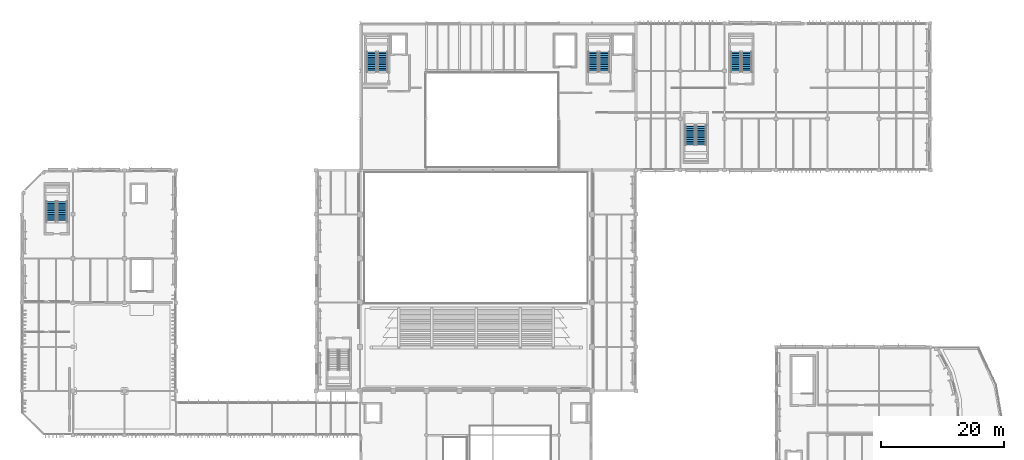
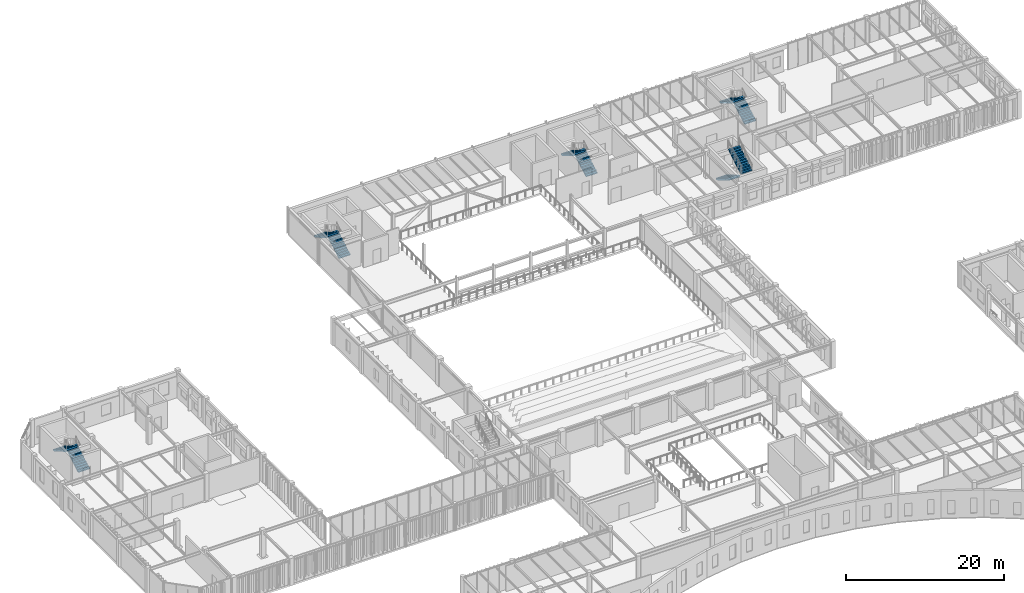
# One storey, part 48 of 104: 10 stair flights, 5 elements without a shape of their own.
"""IFC4 building model written with IfcOpenShell, lengths in metres."""

from ifc_helpers import new_model, si_unit, direction, frame, origin, place, context, subcontext, project, spatial, polyline, outline, extrude, material, type_object, element, aggregate, save


model = new_model("IFC4")

# Units and contexts
model_context = context("Model", 3, precision=1e-05, world=origin(), true_north=direction((0.0, 1.0)))
body_context = subcontext(model_context, "Body", "Model", "MODEL_VIEW")
ifc_project = project(units=[si_unit("LENGTHUNIT", "METRE"), si_unit("AREAUNIT", "SQUARE_METRE"), si_unit("VOLUMEUNIT", "CUBIC_METRE"), si_unit("PLANEANGLEUNIT", "RADIAN"), si_unit("MASSUNIT", "GRAM", prefix="KILO")], contexts=[model_context])

# Site, building, storey
site_placement = place(None, origin())
site = spatial("IfcSite", under=ifc_project, at=site_placement, CompositionType="ELEMENT")
building_placement = place(site_placement, origin())
building = spatial("IfcBuilding", under=site, at=building_placement, Name="Tazoul Stagehouse", CompositionType="ELEMENT")
storey_placement = place(building_placement, frame((0.0, 0.0, 9.0)))
storey = spatial("IfcBuildingStorey", under=building, at=storey_placement, Name="L02", CompositionType="ELEMENT", Elevation=9.0)

# Stair, stair flights
ifc_material = material(Name="Concrete C40/50", Category="concrete")
stair_type_1 = type_object("IfcStairType", Name="Protected Core Dogleg Stair 4800", PredefinedType="HALF_TURN_STAIR", material=ifc_material)
stair_1_placement = place(storey_placement, origin())
stair_1 = element("IfcStair", 1, at=stair_1_placement, inside=storey, type_object=stair_type_1, Name="L02 Core Escape Stair ST-01", PredefinedType="HALF_TURN_STAIR")
stair_flight_type = type_object("IfcStairFlightType", Name="Core Stair Flight W1650", PredefinedType="STRAIGHT", material=ifc_material)
stair_flight_1_placement = place(storey_placement, frame((97.425048828125, 103.800048828125, 0.0), z_axis=(0.0, 0.0, 1.0), x_axis=(0.0, 1.0, 0.0)))
stair_flight_1 = element("IfcStairFlight", 2, at=stair_flight_1_placement, type_object=stair_flight_type, Name="ST-01 flight 1", NumberOfRisers=12, NumberOfTreads=11, PredefinedType="STRAIGHT", RiserHeight=0.175, TreadLength=0.3, context=body_context, shape_type="SweptSolid", body=[
    extrude(outline(polyline([(0.0, 0.0), (0.0, 0.175048828125), (0.300048828125, 0.175048828125), (0.300048828125, 0.35009765625), (0.60009765625, 0.35009765625), (0.60009765625, 0.52490234375), (0.89990234375, 0.52490234375), (0.89990234375, 0.699951171875), (1.199951171875, 0.699951171875), (1.199951171875, 0.875), (1.5, 0.875), (1.5, 1.050048828125), (1.800048828125, 1.050048828125), (1.800048828125, 1.22509765625), (2.10009765625, 1.22509765625), (2.10009765625, 1.39990234375), (2.39990234375, 1.39990234375), (2.39990234375, 1.574951171875), (2.699951171875, 1.574951171875), (2.699951171875, 1.75), (3.0, 1.75), (3.0, 1.925048828125), (3.300048828125, 1.925048828125), (3.300048828125, 2.10009765625), (3.300048828125, 1.75146484375), (0.297607421875, 0.0), (0.0, 0.0)])), frame((0.0, 0.824951171875, 0.0), z_axis=(0.0, -1.0, 0.0), x_axis=(1.0, 0.0, 0.0)), (0.0, 0.0, 1.0), 1.64990234375),
])
stair_flight_2_placement = place(storey_placement, frame((95.625, 107.10009765625, 2.10009765625), z_axis=(0.0, 0.0, 1.0), x_axis=(0.0, -1.0, 0.0)))
stair_flight_2 = element("IfcStairFlight", 3, at=stair_flight_2_placement, type_object=stair_flight_type, Name="ST-01 flight 2", NumberOfRisers=12, NumberOfTreads=11, PredefinedType="STRAIGHT", RiserHeight=0.175, TreadLength=0.3, context=body_context, shape_type="SweptSolid", body=[
    extrude(outline(polyline([(0.0, 0.0), (0.0, 0.175048828125), (0.300048828125, 0.175048828125), (0.300048828125, 0.35009765625), (0.60009765625, 0.35009765625), (0.60009765625, 0.52490234375), (0.89990234375, 0.52490234375), (0.89990234375, 0.699951171875), (1.199951171875, 0.699951171875), (1.199951171875, 0.875), (1.5, 0.875), (1.5, 1.050048828125), (1.800048828125, 1.050048828125), (1.800048828125, 1.22509765625), (2.10009765625, 1.22509765625), (2.10009765625, 1.39990234375), (2.39990234375, 1.39990234375), (2.39990234375, 1.574951171875), (2.699951171875, 1.574951171875), (2.699951171875, 1.75), (3.0, 1.75), (3.0, 1.925048828125), (3.300048828125, 1.925048828125), (3.300048828125, 2.10009765625), (3.300048828125, 1.75146484375), (0.297607421875, 0.0), (0.0, 0.0)])), frame((0.0, 0.824951171875, 0.0), z_axis=(0.0, -1.0, 0.0), x_axis=(1.0, 0.0, 0.0)), (0.0, 0.0, 1.0), 1.64990234375),
])
aggregate(stair_1, [stair_flight_1, stair_flight_2])

stair_type_2 = type_object("IfcStairType", Name="Protected Core Dogleg Stair 4200", PredefinedType="HALF_TURN_STAIR", material=ifc_material)
stair_2_placement = place(storey_placement, origin())
stair_2 = element("IfcStair", 4, at=stair_2_placement, inside=storey, type_object=stair_type_2, Name="L02 Core Escape Stair ST-02", PredefinedType="HALF_TURN_STAIR")
stair_flight_3_placement = place(storey_placement, frame((120.625, 103.800048828125, 0.0), z_axis=(0.0, 0.0, 1.0), x_axis=(0.0, 1.0, 0.0)))
stair_flight_3 = element("IfcStairFlight", 5, at=stair_flight_3_placement, type_object=stair_flight_type, Name="ST-02 flight 1", NumberOfRisers=12, NumberOfTreads=11, PredefinedType="STRAIGHT", RiserHeight=0.175, TreadLength=0.3, context=body_context, shape_type="SweptSolid", body=[
    extrude(outline(polyline([(0.0, 0.0), (0.0, 0.175048828125), (0.300048828125, 0.175048828125), (0.300048828125, 0.35009765625), (0.60009765625, 0.35009765625), (0.60009765625, 0.52490234375), (0.89990234375, 0.52490234375), (0.89990234375, 0.699951171875), (1.199951171875, 0.699951171875), (1.199951171875, 0.875), (1.5, 0.875), (1.5, 1.050048828125), (1.800048828125, 1.050048828125), (1.800048828125, 1.22509765625), (2.10009765625, 1.22509765625), (2.10009765625, 1.39990234375), (2.39990234375, 1.39990234375), (2.39990234375, 1.574951171875), (2.699951171875, 1.574951171875), (2.699951171875, 1.75), (3.0, 1.75), (3.0, 1.925048828125), (3.300048828125, 1.925048828125), (3.300048828125, 2.10009765625), (3.300048828125, 1.75146484375), (0.297607421875, 0.0), (0.0, 0.0)])), frame((0.0, 0.824951171875, 0.0), z_axis=(0.0, -1.0, 0.0), x_axis=(1.0, 0.0, 0.0)), (0.0, 0.0, 1.0), 1.64990234375),
])
stair_flight_4_placement = place(storey_placement, frame((118.824951171875, 107.10009765625, 2.10009765625), z_axis=(0.0, 0.0, 1.0), x_axis=(0.0, -1.0, 0.0)))
stair_flight_4 = element("IfcStairFlight", 6, at=stair_flight_4_placement, type_object=stair_flight_type, Name="ST-02 flight 2", NumberOfRisers=12, NumberOfTreads=11, PredefinedType="STRAIGHT", RiserHeight=0.175, TreadLength=0.3, context=body_context, shape_type="SweptSolid", body=[
    extrude(outline(polyline([(0.0, 0.0), (0.0, 0.175048828125), (0.300048828125, 0.175048828125), (0.300048828125, 0.35009765625), (0.60009765625, 0.35009765625), (0.60009765625, 0.52490234375), (0.89990234375, 0.52490234375), (0.89990234375, 0.699951171875), (1.199951171875, 0.699951171875), (1.199951171875, 0.875), (1.5, 0.875), (1.5, 1.050048828125), (1.800048828125, 1.050048828125), (1.800048828125, 1.22509765625), (2.10009765625, 1.22509765625), (2.10009765625, 1.39990234375), (2.39990234375, 1.39990234375), (2.39990234375, 1.574951171875), (2.699951171875, 1.574951171875), (2.699951171875, 1.75), (3.0, 1.75), (3.0, 1.925048828125), (3.300048828125, 1.925048828125), (3.300048828125, 2.10009765625), (3.300048828125, 1.75146484375), (0.297607421875, 0.0), (0.0, 0.0)])), frame((0.0, 0.824951171875, 0.0), z_axis=(0.0, -1.0, 0.0), x_axis=(1.0, 0.0, 0.0)), (0.0, 0.0, 1.0), 1.64990234375),
])
aggregate(stair_2, [stair_flight_3, stair_flight_4])

stair_type_3 = type_object("IfcStairType", Name="Protected Core Dogleg Stair 3900", PredefinedType="HALF_TURN_STAIR", material=ifc_material)
stair_3_placement = place(storey_placement, origin())
stair_3 = element("IfcStair", 7, at=stair_3_placement, inside=storey, type_object=stair_type_3, Name="L02 Core Escape Stair ST-03", PredefinedType="HALF_TURN_STAIR")
stair_flight_5_placement = place(storey_placement, frame((61.27490234375, 103.800048828125, 0.0), z_axis=(0.0, 0.0, 1.0), x_axis=(0.0, 1.0, 0.0)))
stair_flight_5 = element("IfcStairFlight", 8, at=stair_flight_5_placement, type_object=stair_flight_type, Name="ST-03 flight 1", NumberOfRisers=12, NumberOfTreads=11, PredefinedType="STRAIGHT", RiserHeight=0.175, TreadLength=0.3, context=body_context, shape_type="SweptSolid", body=[
    extrude(outline(polyline([(0.0, 0.0), (0.0, 0.175048828125), (0.300048828125, 0.175048828125), (0.300048828125, 0.35009765625), (0.60009765625, 0.35009765625), (0.60009765625, 0.52490234375), (0.89990234375, 0.52490234375), (0.89990234375, 0.699951171875), (1.199951171875, 0.699951171875), (1.199951171875, 0.875), (1.5, 0.875), (1.5, 1.050048828125), (1.800048828125, 1.050048828125), (1.800048828125, 1.22509765625), (2.10009765625, 1.22509765625), (2.10009765625, 1.39990234375), (2.39990234375, 1.39990234375), (2.39990234375, 1.574951171875), (2.699951171875, 1.574951171875), (2.699951171875, 1.75), (3.0, 1.75), (3.0, 1.925048828125), (3.300048828125, 1.925048828125), (3.300048828125, 2.10009765625), (3.300048828125, 1.75146484375), (0.297607421875, 0.0), (0.0, 0.0)])), frame((0.0, 0.824951171875, 0.0), z_axis=(0.0, -1.0, 0.0), x_axis=(1.0, 0.0, 0.0)), (0.0, 0.0, 1.0), 1.64990234375),
])
stair_flight_6_placement = place(storey_placement, frame((59.47509765625, 107.10009765625, 2.10009765625), z_axis=(0.0, 0.0, 1.0), x_axis=(0.0, -1.0, 0.0)))
stair_flight_6 = element("IfcStairFlight", 9, at=stair_flight_6_placement, type_object=stair_flight_type, Name="ST-03 flight 2", NumberOfRisers=12, NumberOfTreads=11, PredefinedType="STRAIGHT", RiserHeight=0.175, TreadLength=0.3, context=body_context, shape_type="SweptSolid", body=[
    extrude(outline(polyline([(0.0, 0.0), (0.0, 0.175048828125), (0.300048828125, 0.175048828125), (0.300048828125, 0.35009765625), (0.60009765625, 0.35009765625), (0.60009765625, 0.52490234375), (0.89990234375, 0.52490234375), (0.89990234375, 0.699951171875), (1.199951171875, 0.699951171875), (1.199951171875, 0.875), (1.5, 0.875), (1.5, 1.050048828125), (1.800048828125, 1.050048828125), (1.800048828125, 1.22509765625), (2.10009765625, 1.22509765625), (2.10009765625, 1.39990234375), (2.39990234375, 1.39990234375), (2.39990234375, 1.574951171875), (2.699951171875, 1.574951171875), (2.699951171875, 1.75), (3.0, 1.75), (3.0, 1.925048828125), (3.300048828125, 1.925048828125), (3.300048828125, 2.10009765625), (3.300048828125, 1.75146484375), (0.297607421875, 0.0), (0.0, 0.0)])), frame((0.0, 0.824951171875, 0.0), z_axis=(0.0, -1.0, 0.0), x_axis=(1.0, 0.0, 0.0)), (0.0, 0.0, 1.0), 1.64990234375),
])
aggregate(stair_3, [stair_flight_5, stair_flight_6])

stair_4_placement = place(storey_placement, origin())
stair_4 = element("IfcStair", 10, at=stair_4_placement, inside=storey, type_object=stair_type_1, Name="L02 Core Escape Stair ST-04", PredefinedType="HALF_TURN_STAIR")
stair_flight_7_placement = place(storey_placement, frame((111.425048828125, 95.199951171875, 0.0), z_axis=(0.0, 0.0, 1.0), x_axis=(0.0, -1.0, 0.0)))
stair_flight_7 = element("IfcStairFlight", 11, at=stair_flight_7_placement, type_object=stair_flight_type, Name="ST-04 flight 1", NumberOfRisers=12, NumberOfTreads=11, PredefinedType="STRAIGHT", RiserHeight=0.175, TreadLength=0.3, context=body_context, shape_type="SweptSolid", body=[
    extrude(outline(polyline([(0.0, 0.0), (0.0, 0.175048828125), (0.300048828125, 0.175048828125), (0.300048828125, 0.35009765625), (0.60009765625, 0.35009765625), (0.60009765625, 0.52490234375), (0.89990234375, 0.52490234375), (0.89990234375, 0.699951171875), (1.199951171875, 0.699951171875), (1.199951171875, 0.875), (1.5, 0.875), (1.5, 1.050048828125), (1.800048828125, 1.050048828125), (1.800048828125, 1.22509765625), (2.10009765625, 1.22509765625), (2.10009765625, 1.39990234375), (2.39990234375, 1.39990234375), (2.39990234375, 1.574951171875), (2.699951171875, 1.574951171875), (2.699951171875, 1.75), (3.0, 1.75), (3.0, 1.925048828125), (3.300048828125, 1.925048828125), (3.300048828125, 2.10009765625), (3.300048828125, 1.75146484375), (0.297607421875, 0.0), (0.0, 0.0)])), frame((0.0, 0.824951171875, 0.0), z_axis=(0.0, -1.0, 0.0), x_axis=(1.0, 0.0, 0.0)), (0.0, 0.0, 1.0), 1.64990234375),
])
stair_flight_8_placement = place(storey_placement, frame((113.22509765625, 91.89990234375, 2.10009765625), z_axis=(0.0, 0.0, 1.0), x_axis=(0.0, 1.0, 0.0)))
stair_flight_8 = element("IfcStairFlight", 12, at=stair_flight_8_placement, type_object=stair_flight_type, Name="ST-04 flight 2", NumberOfRisers=12, NumberOfTreads=11, PredefinedType="STRAIGHT", RiserHeight=0.175, TreadLength=0.3, context=body_context, shape_type="SweptSolid", body=[
    extrude(outline(polyline([(0.0, 0.0), (0.0, 0.175048828125), (0.300048828125, 0.175048828125), (0.300048828125, 0.35009765625), (0.60009765625, 0.35009765625), (0.60009765625, 0.52490234375), (0.89990234375, 0.52490234375), (0.89990234375, 0.699951171875), (1.199951171875, 0.699951171875), (1.199951171875, 0.875), (1.5, 0.875), (1.5, 1.050048828125), (1.800048828125, 1.050048828125), (1.800048828125, 1.22509765625), (2.10009765625, 1.22509765625), (2.10009765625, 1.39990234375), (2.39990234375, 1.39990234375), (2.39990234375, 1.574951171875), (2.699951171875, 1.574951171875), (2.699951171875, 1.75), (3.0, 1.75), (3.0, 1.925048828125), (3.300048828125, 1.925048828125), (3.300048828125, 2.10009765625), (3.300048828125, 1.75146484375), (0.297607421875, 0.0), (0.0, 0.0)])), frame((0.0, 0.824951171875, 0.0), z_axis=(0.0, -1.0, 0.0), x_axis=(1.0, 0.0, 0.0)), (0.0, 0.0, 1.0), 1.64990234375),
])
aggregate(stair_4, [stair_flight_7, stair_flight_8])

stair_5_placement = place(storey_placement, origin())
stair_5 = element("IfcStair", 13, at=stair_5_placement, inside=storey, type_object=stair_type_3, Name="L02 Core Escape Stair ST-06", PredefinedType="HALF_TURN_STAIR")
stair_flight_9_placement = place(storey_placement, frame((9.02490234375, 79.39990234375, 0.0), z_axis=(0.0, 0.0, 1.0), x_axis=(0.0, 1.0, 0.0)))
stair_flight_9 = element("IfcStairFlight", 14, at=stair_flight_9_placement, type_object=stair_flight_type, Name="ST-06 flight 1", NumberOfRisers=12, NumberOfTreads=11, PredefinedType="STRAIGHT", RiserHeight=0.175, TreadLength=0.3, context=body_context, shape_type="SweptSolid", body=[
    extrude(outline(polyline([(0.0, 0.0), (0.0, 0.175048828125), (0.300048828125, 0.175048828125), (0.300048828125, 0.35009765625), (0.60009765625, 0.35009765625), (0.60009765625, 0.52490234375), (0.89990234375, 0.52490234375), (0.89990234375, 0.699951171875), (1.199951171875, 0.699951171875), (1.199951171875, 0.875), (1.5, 0.875), (1.5, 1.050048828125), (1.800048828125, 1.050048828125), (1.800048828125, 1.22509765625), (2.10009765625, 1.22509765625), (2.10009765625, 1.39990234375), (2.39990234375, 1.39990234375), (2.39990234375, 1.574951171875), (2.699951171875, 1.574951171875), (2.699951171875, 1.75), (3.0, 1.75), (3.0, 1.925048828125), (3.300048828125, 1.925048828125), (3.300048828125, 2.10009765625), (3.300048828125, 1.75146484375), (0.297607421875, 0.0), (0.0, 0.0)])), frame((0.0, 0.824951171875, 0.0), z_axis=(0.0, -1.0, 0.0), x_axis=(1.0, 0.0, 0.0)), (0.0, 0.0, 1.0), 1.64990234375),
])
stair_flight_10_placement = place(storey_placement, frame((7.22509765625, 82.699951171875, 2.10009765625), z_axis=(0.0, 0.0, 1.0), x_axis=(0.0, -1.0, 0.0)))
stair_flight_10 = element("IfcStairFlight", 15, at=stair_flight_10_placement, type_object=stair_flight_type, Name="ST-06 flight 2", NumberOfRisers=12, NumberOfTreads=11, PredefinedType="STRAIGHT", RiserHeight=0.175, TreadLength=0.3, context=body_context, shape_type="SweptSolid", body=[
    extrude(outline(polyline([(0.0, 0.0), (0.0, 0.175048828125), (0.300048828125, 0.175048828125), (0.300048828125, 0.35009765625), (0.60009765625, 0.35009765625), (0.60009765625, 0.52490234375), (0.89990234375, 0.52490234375), (0.89990234375, 0.699951171875), (1.199951171875, 0.699951171875), (1.199951171875, 0.875), (1.5, 0.875), (1.5, 1.050048828125), (1.800048828125, 1.050048828125), (1.800048828125, 1.22509765625), (2.10009765625, 1.22509765625), (2.10009765625, 1.39990234375), (2.39990234375, 1.39990234375), (2.39990234375, 1.574951171875), (2.699951171875, 1.574951171875), (2.699951171875, 1.75), (3.0, 1.75), (3.0, 1.925048828125), (3.300048828125, 1.925048828125), (3.300048828125, 2.10009765625), (3.300048828125, 1.75146484375), (0.297607421875, 0.0), (0.0, 0.0)])), frame((0.0, 0.824951171875, 0.0), z_axis=(0.0, -1.0, 0.0), x_axis=(1.0, 0.0, 0.0)), (0.0, 0.0, 1.0), 1.64990234375),
])
aggregate(stair_5, [stair_flight_9, stair_flight_10])

save(model, "model.ifc")
